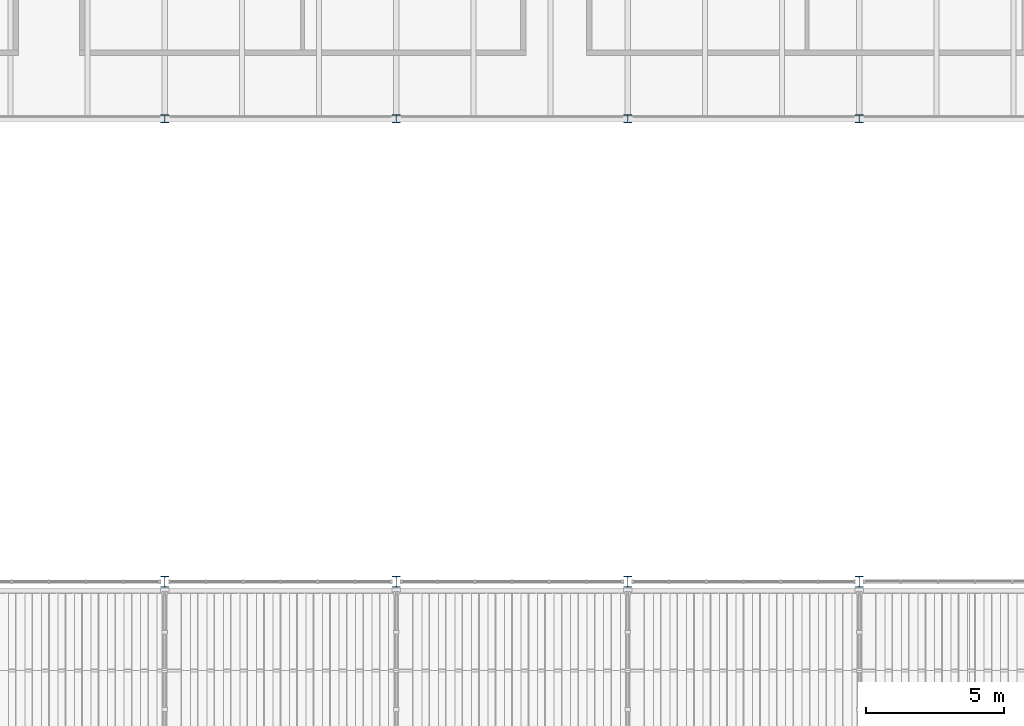
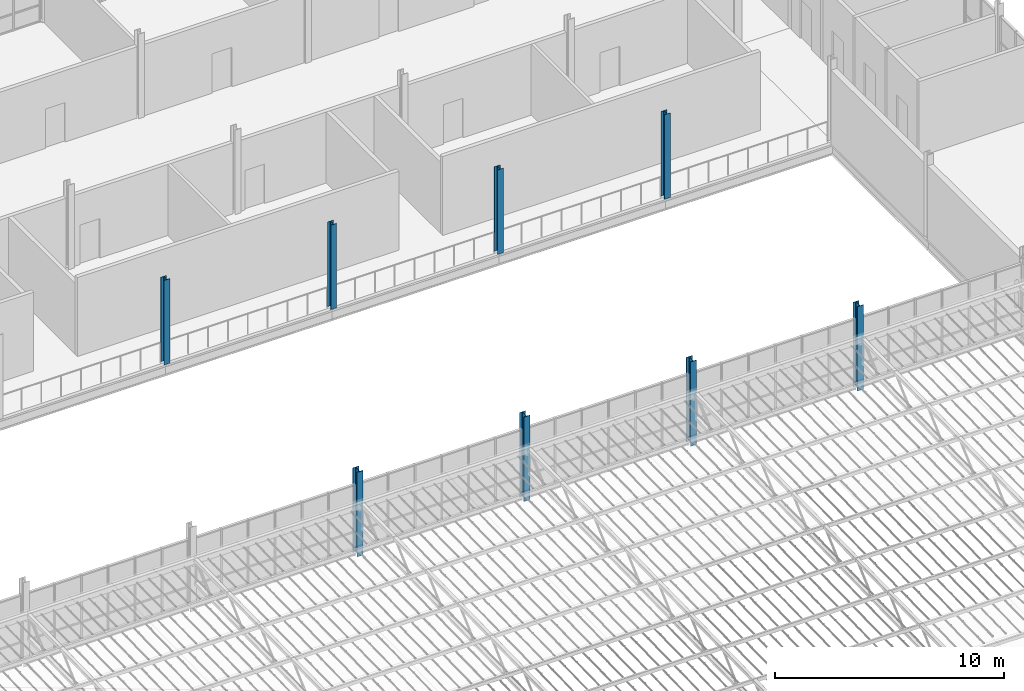
# One storey, part 5 of 129: 8 columns.
"""IFC4 building model written with IfcOpenShell, lengths in metres."""

from ifc_helpers import new_model, si_unit, direction, frame, origin, origin_2d, place, context, subcontext, project, spatial, i_section, extrude, material, material_profile, profile_set, type_object, element, save


model = new_model("IFC4")

# Units and contexts
model_context = context("Model", 3, precision=1e-05, world=origin(), true_north=direction((0.0, 1.0)))
body_context = subcontext(model_context, "Body", "Model", "MODEL_VIEW")
ifc_project = project(units=[si_unit("LENGTHUNIT", "METRE"), si_unit("AREAUNIT", "SQUARE_METRE"), si_unit("VOLUMEUNIT", "CUBIC_METRE"), si_unit("PLANEANGLEUNIT", "RADIAN"), si_unit("MASSUNIT", "GRAM", prefix="KILO")], contexts=[model_context])

# Site, building, storey
site_placement = place(None, origin())
site = spatial("IfcSite", under=ifc_project, at=site_placement, CompositionType="ELEMENT")
building_placement = place(site_placement, origin())
building = spatial("IfcBuilding", under=site, at=building_placement, Name="Ardhachandra Cancer Care Centre", CompositionType="ELEMENT")
storey_placement = place(building_placement, frame((0.0, 0.0, 4.5)))
storey = spatial("IfcBuildingStorey", under=building, at=storey_placement, Name="L01", CompositionType="ELEMENT", Elevation=4.5)

# Columns
ifc_material_1 = material(Name="Steel E350 (IS 2062)", Category="steel")
ifc_material_profile_1 = material_profile(ifc_material_1, i_section(OverallWidth=0.300048828125, OverallDepth=0.300048828125, WebThickness=0.010986328125, FlangeThickness=0.01904296875, FilletRadius=0.027099609375, at=origin_2d()), Name="WPB 300x300x117.03")
ifc_profile_set_1 = profile_set([ifc_material_profile_1], Name="Steel E350 (IS 2062)")
column_type_1 = type_object("IfcColumnType", Name="Column WPB 300x300x117.03", PredefinedType="COLUMN", material=ifc_profile_set_1)
for number, where, z_axis, x_axis, name in (
    (1, (78.0, 71.39990234375, 0.0), (0.0, 0.0, 1.0), (1.0, 0.0, 0.0), "Column H9 L01"),
    (2, (86.39990234375, 71.39990234375, 0.0), (0.0, 0.0, 1.0), (1.0, 0.0, 0.0), "Column H10 L01"),
    (3, (94.800048828125, 71.39990234375, 0.0), (0.0, 0.0, 1.0), (1.0, 0.0, 0.0), "Column H11 L01"),
    (4, (103.199951171875, 71.39990234375, 0.0), (0.0, 0.0, 1.0), (1.0, 0.0, 0.0), "Column H12 L01"),
):
    element("IfcColumn", number, at=place(storey_placement, frame(where, z_axis=z_axis, x_axis=x_axis)), inside=storey, type_object=column_type_1, Name=name, PredefinedType="COLUMN", context=body_context, shape_type="SweptSolid", body=[
        extrude(i_section(OverallWidth=0.300048828125, OverallDepth=0.300048828125, WebThickness=0.010986328125, FlangeThickness=0.01904296875, FilletRadius=0.027099609375, at=origin_2d()), origin(), (0.0, 0.0, 1.0), 4.5),
    ])
ifc_material_2 = material(Name="Steel E350 (IS 2062)", Category="steel")
ifc_material_profile_2 = material_profile(ifc_material_2, i_section(OverallWidth=0.300048828125, OverallDepth=0.39990234375, WebThickness=0.013427734375, FlangeThickness=0.02392578125, FilletRadius=0.027099609375, at=origin_2d()), Name="WPB 400x300x155.26")
ifc_profile_set_2 = profile_set([ifc_material_profile_2], Name="Steel E350 (IS 2062)")
column_type_2 = type_object("IfcColumnType", Name="Column WPB 400x300x155.26", PredefinedType="COLUMN", material=ifc_profile_set_2)
for number, where, z_axis, x_axis, name in (
    (5, (78.0, 54.60009765625, 0.0), (0.0, 0.0, 1.0), (1.0, 0.0, 0.0), "Column F9 L01"),
    (6, (86.39990234375, 54.60009765625, 0.0), (0.0, 0.0, 1.0), (1.0, 0.0, 0.0), "Column F10 L01"),
    (7, (94.800048828125, 54.60009765625, 0.0), (0.0, 0.0, 1.0), (1.0, 0.0, 0.0), "Column F11 L01"),
    (8, (103.199951171875, 54.60009765625, 0.0), (0.0, 0.0, 1.0), (1.0, 0.0, 0.0), "Column F12 L01"),
):
    element("IfcColumn", number, at=place(storey_placement, frame(where, z_axis=z_axis, x_axis=x_axis)), inside=storey, type_object=column_type_2, Name=name, PredefinedType="COLUMN", context=body_context, shape_type="SweptSolid", body=[
        extrude(i_section(OverallWidth=0.300048828125, OverallDepth=0.39990234375, WebThickness=0.013427734375, FlangeThickness=0.02392578125, FilletRadius=0.027099609375, at=origin_2d()), origin(), (0.0, 0.0, 1.0), 4.5),
    ])

save(model, "model.ifc")
